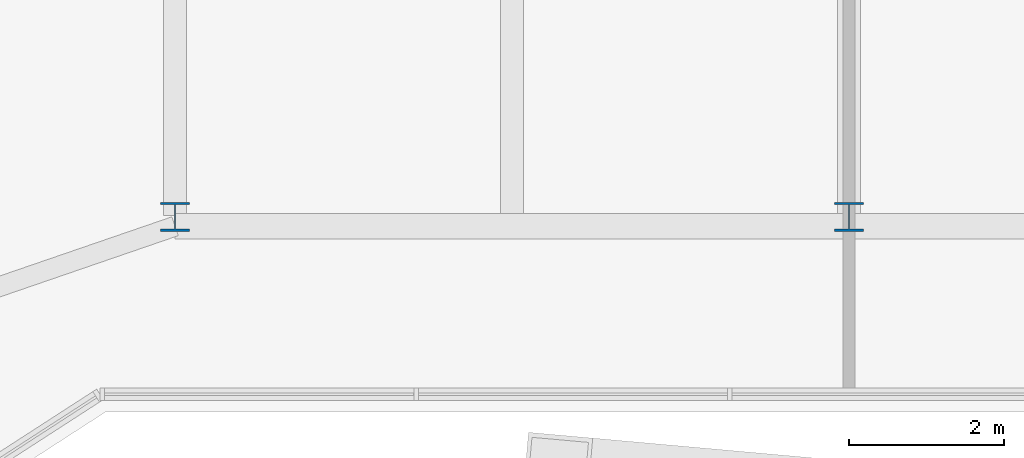
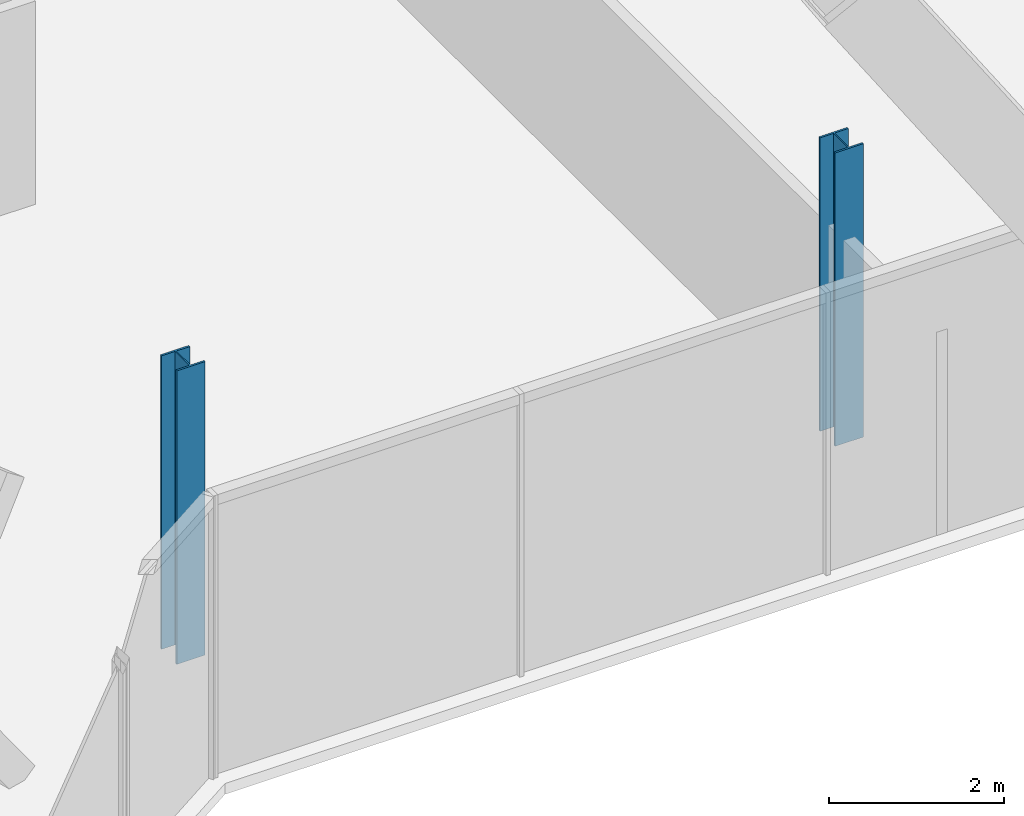
# One storey, part 2 of 21: 2 columns.
"""IFC4 building model written with IfcOpenShell, lengths in metres."""

from ifc_helpers import new_model, si_unit, direction, frame, origin, origin_2d, place, context, subcontext, project, spatial, i_section, extrude, material, material_profile, profile_set, type_object, element, save


model = new_model("IFC4")

# Units and contexts
model_context = context("Model", 3, precision=1e-05, world=origin(), true_north=direction((0.0, 1.0)))
body_context = subcontext(model_context, "Body", "Model", "MODEL_VIEW")
ifc_project = project(units=[si_unit("LENGTHUNIT", "METRE"), si_unit("AREAUNIT", "SQUARE_METRE"), si_unit("VOLUMEUNIT", "CUBIC_METRE"), si_unit("PLANEANGLEUNIT", "RADIAN"), si_unit("MASSUNIT", "GRAM", prefix="KILO")], contexts=[model_context])

# Site, building, storey
site_placement = place(None, origin())
site = spatial("IfcSite", under=ifc_project, at=site_placement, CompositionType="ELEMENT")
building_placement = place(site_placement, origin())
building = spatial("IfcBuilding", under=site, at=building_placement, Name="Bicima Exchange Tower", CompositionType="ELEMENT")
storey_placement = place(building_placement, frame((0.0, 0.0, 195.0)))
storey = spatial("IfcBuildingStorey", under=building, at=storey_placement, Name="L43", CompositionType="ELEMENT", Elevation=195.0)

# Columns
ifc_material = material(Name="Steel ASTM A992 Gr 50", Category="steel")
ifc_material_profile = material_profile(ifc_material, i_section(OverallWidth=0.373291015625, OverallDepth=0.373291015625, WebThickness=0.016357421875, FlangeThickness=0.026123046875, at=origin_2d()))
ifc_profile_set = profile_set([ifc_material_profile], Name="Steel ASTM A992 Gr 50")
column_type = type_object("IfcColumnType", Name="Perimeter column W14x132", PredefinedType="COLUMN", material=ifc_profile_set)
for number, where, z_axis, x_axis, name in (
    (1, (17.39990234375, -30.449951171875, 0.0), (0.0, 0.0, 1.0), (1.0, 0.0, 0.0), "Perimeter column grav+17.4f"),
    (2, (26.10009765625, -30.449951171875, 0.0), (0.0, 0.0, 1.0), (1.0, 0.0, 0.0), "Perimeter column grav+26.1f"),
):
    element("IfcColumn", number, at=place(storey_placement, frame(where, z_axis=z_axis, x_axis=x_axis)), inside=storey, type_object=column_type, Name=name, PredefinedType="COLUMN", context=body_context, shape_type="SweptSolid", body=[
        extrude(i_section(OverallWidth=0.373291015625, OverallDepth=0.373291015625, WebThickness=0.016357421875, FlangeThickness=0.026123046875, at=origin_2d()), origin(), (0.0, 0.0, 1.0), 4.10009765625),
    ])

save(model, "model.ifc")
